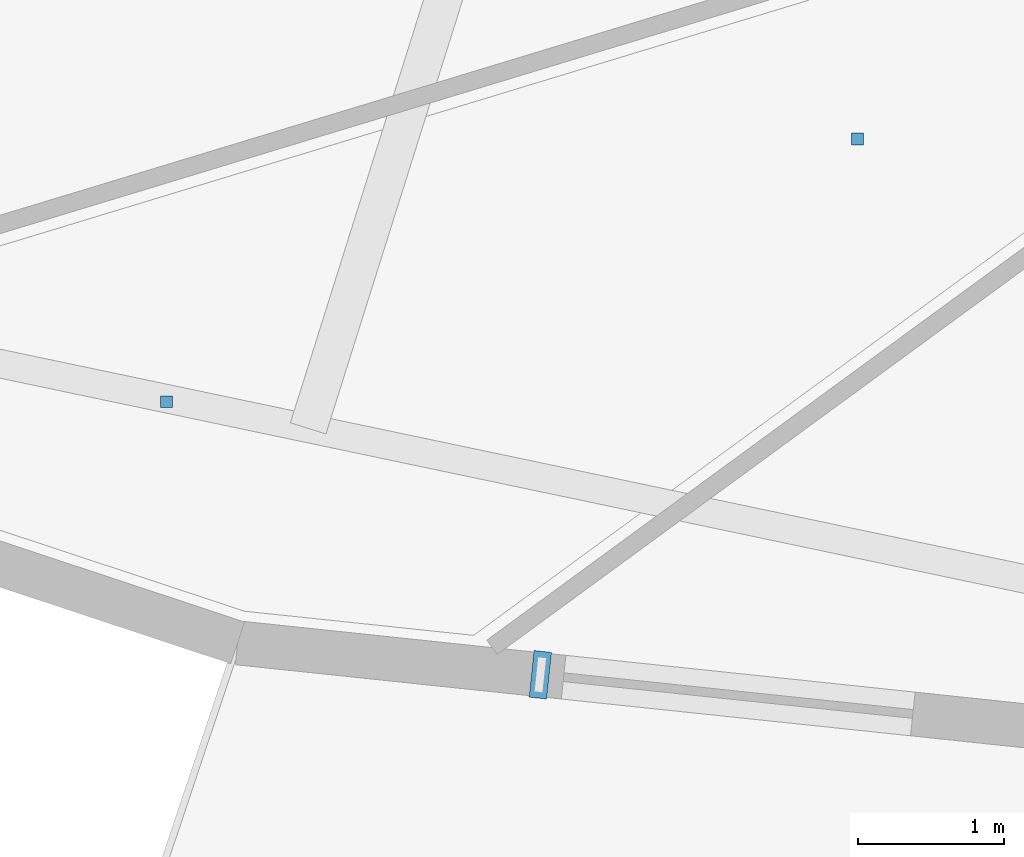
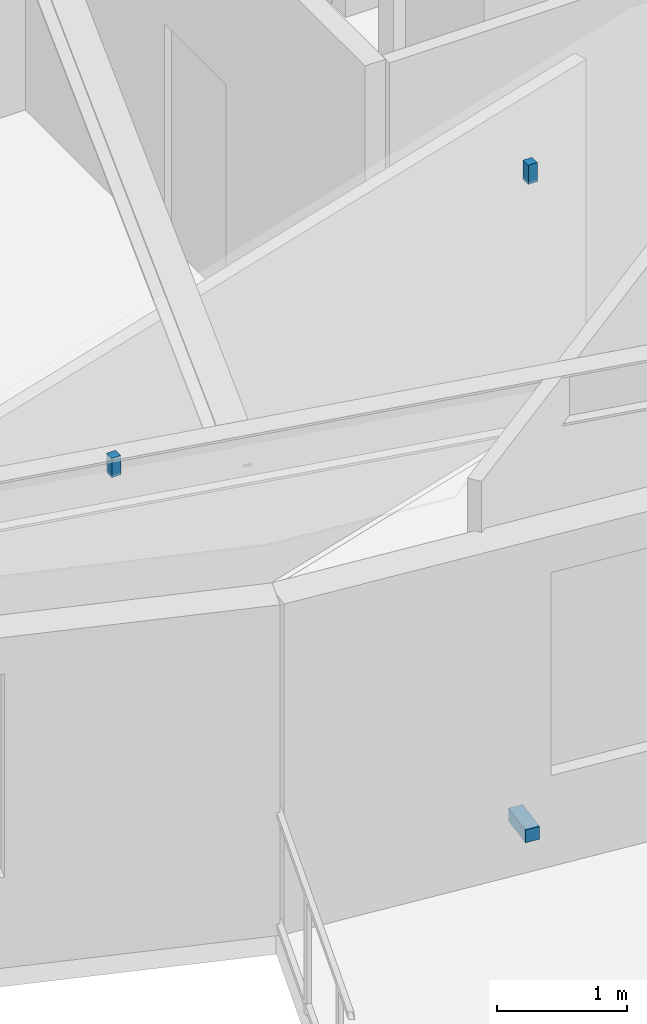
# One storey, part 14 of 19: 3 discrete accessories.
"""IFC4 building model written with IfcOpenShell, lengths in metres."""

from ifc_helpers import new_model, si_unit, direction, frame, origin, origin_2d, place, context, subcontext, project, spatial, rectangle, extrude, material, type_object, element, save


model = new_model("IFC4")

# Units and contexts
model_context = context("Model", 3, precision=1e-05, world=origin(), true_north=direction((0.0, 1.0)))
body_context = subcontext(model_context, "Body", "Model", "MODEL_VIEW")
ifc_project = project(units=[si_unit("LENGTHUNIT", "METRE"), si_unit("AREAUNIT", "SQUARE_METRE"), si_unit("VOLUMEUNIT", "CUBIC_METRE"), si_unit("PLANEANGLEUNIT", "RADIAN"), si_unit("MASSUNIT", "GRAM", prefix="KILO")], contexts=[model_context])

# Site, building, storey
site_placement = place(None, origin())
site = spatial("IfcSite", under=ifc_project, at=site_placement, CompositionType="ELEMENT")
building_placement = place(site_placement, origin())
building = spatial("IfcBuilding", under=site, at=building_placement, Name="Kolvaren Gate Tower and Convention Centre", CompositionType="ELEMENT")
storey_placement = place(building_placement, frame((0.0, 0.0, 68.85009765625)))
storey = spatial("IfcBuildingStorey", under=building, at=storey_placement, Name="L16", CompositionType="ELEMENT", Elevation=68.85009765625)

# Discrete accessories
ifc_material_1 = material(Name="Anodized Architectural Aluminium Alloy 6063-T6", Category="aluminium")
discrete_accessory_type_1 = type_object("IfcDiscreteAccessoryType", Name="ARCH-ACC-BRACKET-120", PredefinedType="BRACKET", material=ifc_material_1)
discrete_accessory_placement = place(storey_placement, frame((25.35107421875, 6.352783203125, 0.289794921875), z_axis=(0.0, 0.0, 1.0), x_axis=(0.994498884311, -0.104747167526, 0.0)))
element("IfcDiscreteAccessory", 1, at=discrete_accessory_placement, inside=storey, type_object=discrete_accessory_type_1, Name="Ceramic Fin Wall Anchor Bracket FBK-L16-17", PredefinedType="BRACKET", context=body_context, shape_type="SweptSolid", body=[
    extrude(rectangle(XDim=0.1201171875, YDim=0.320068359375, at=origin_2d()), origin(), (0.0, 0.0, 1.0), 0.1201171875),
])
ifc_material_2 = material(Name="Brushed Stainless Steel Grade 316L", Category="steel")
discrete_accessory_type_2 = type_object("IfcDiscreteAccessoryType", Name="ARCH-ACC-HANGER-80", PredefinedType="BRACKET", material=ifc_material_2)
for number, where, z_axis, x_axis, name in (
    (2, (22.7958984375, 8.218017578125, 3.39013671875), (0.0, 0.0, 1.0), (1.0, 0.0, 0.0), "Legal Chambers Cellular Office Ceiling Suspension Hanger Clip 1"),
    (3, (27.51904296875, 10.013916015625, 3.39013671875), (0.0, 0.0, 1.0), (1.0, 0.0, 0.0), "Legal Chambers Cellular Office Ceiling Suspension Hanger Clip 2"),
):
    element("IfcDiscreteAccessory", number, at=place(storey_placement, frame(where, z_axis=z_axis, x_axis=x_axis)), inside=storey, type_object=discrete_accessory_type_2, Name=name, PredefinedType="BRACKET", context=body_context, shape_type="SweptSolid", body=[
        extrude(rectangle(XDim=0.080078125, YDim=0.080078125, at=origin_2d()), origin(), (0.0, 0.0, 1.0), 0.179931640625),
    ])

save(model, "model.ifc")
